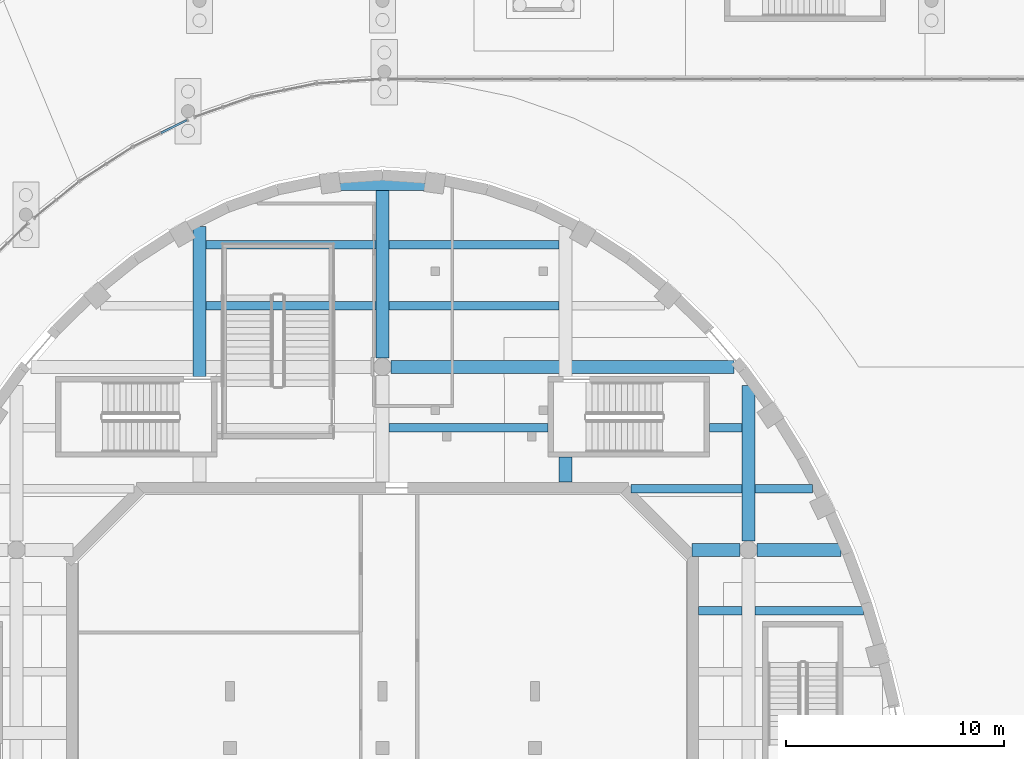
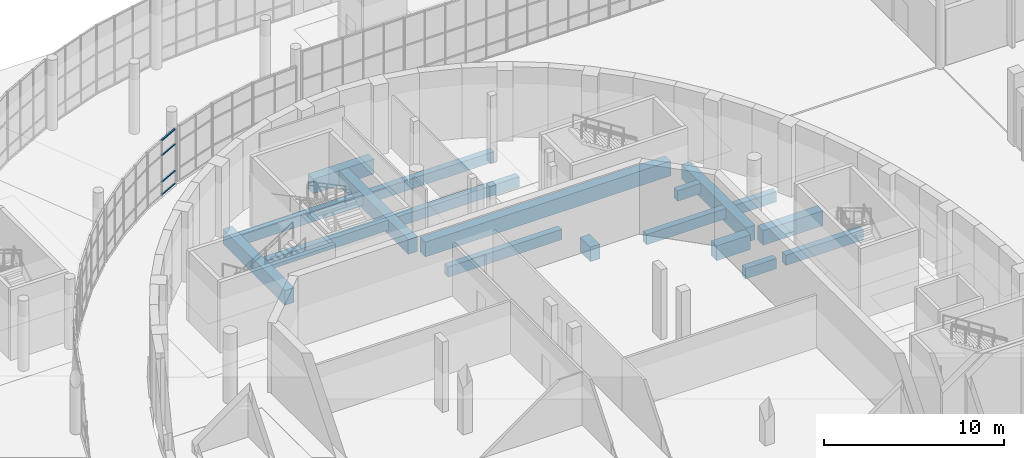
# One storey, part 31 of 110: 18 beams, 4 members, 1 element without a shape of its own.
"""IFC4 building model written with IfcOpenShell, lengths in metres."""

from ifc_helpers import new_model, si_unit, direction, frame, origin, origin_2d, place, context, subcontext, project, spatial, rectangle, extrude, material, layer, layer_set, material_profile, profile_set, type_object, element, aggregate, save


model = new_model("IFC4")

# Units and contexts
model_context = context("Model", 3, precision=1e-05, world=origin(), true_north=direction((0.0, 1.0)))
body_context = subcontext(model_context, "Body", "Model", "MODEL_VIEW")
ifc_project = project(units=[si_unit("LENGTHUNIT", "METRE"), si_unit("AREAUNIT", "SQUARE_METRE"), si_unit("VOLUMEUNIT", "CUBIC_METRE"), si_unit("PLANEANGLEUNIT", "RADIAN"), si_unit("MASSUNIT", "GRAM", prefix="KILO")], contexts=[model_context])

# Site, building, storey
site_placement = place(None, origin())
site = spatial("IfcSite", under=ifc_project, at=site_placement, CompositionType="ELEMENT")
building_placement = place(site_placement, origin())
building = spatial("IfcBuilding", under=site, at=building_placement, Name="Larchfold Concert Hall", CompositionType="ELEMENT")
storey_placement = place(building_placement, origin())
storey = spatial("IfcBuildingStorey", under=building, at=storey_placement, Name="L00", CompositionType="ELEMENT", Elevation=0.0)

# Curtain wall, members
ifc_material_1 = material(Name="Anodised graphite aluminium curtain wall", Category="aluminium")
ifc_layer = layer(ifc_material_1, 0.14990234375)
ifc_layer_set = layer_set([ifc_layer], Name="Anodised graphite aluminium curtain wall")
curtain_wall_type = type_object("IfcCurtainWallType", Name="Curtain wall WG", PredefinedType="NOTDEFINED", material=ifc_layer_set)
curtain_wall_placement = place(storey_placement, origin())
curtain_wall = element("IfcCurtainWall", 1, at=curtain_wall_placement, inside=storey, type_object=curtain_wall_type, Name="Curtain wall CW0086", PredefinedType="NOTDEFINED")
ifc_material_2 = material(Name="Anodised graphite aluminium transom", Category="aluminium")
ifc_material_profile_1 = material_profile(ifc_material_2, rectangle(XDim=0.10009765625, YDim=0.080078125, at=origin_2d()))
ifc_profile_set_1 = profile_set([ifc_material_profile_1], Name="Anodised graphite aluminium transom")
member_type = type_object("IfcMemberType", Name="Aluminium transom 80x100", PredefinedType="USERDEFINED", material=ifc_profile_set_1)
member_1_placement = place(storey_placement, frame((32.43603515625, 120.536376953125, 0.0400390625), z_axis=(0.896919943894, 0.44219296042, 0.0), x_axis=(-0.44219296042, 0.896919943894, 0.0)))
member_1 = element("IfcMember", 2, at=member_1_placement, type_object=member_type, Name="CW0086 transom 2.1", ObjectType="TRANSOM", PredefinedType="USERDEFINED", context=body_context, shape_type="SweptSolid", body=[
    extrude(rectangle(XDim=0.10009765625, YDim=0.080078125, at=origin_2d()), origin(), (0.0, 0.0, 1.0), 1.324462890625),
])
member_2_placement = place(storey_placement, frame((32.43603515625, 120.536376953125, 0.89990234375), z_axis=(0.896919943894, 0.44219296042, 0.0), x_axis=(-0.44219296042, 0.896919943894, 0.0)))
member_2 = element("IfcMember", 3, at=member_2_placement, type_object=member_type, Name="CW0086 transom 2.2", ObjectType="TRANSOM", PredefinedType="USERDEFINED", context=body_context, shape_type="SweptSolid", body=[
    extrude(rectangle(XDim=0.10009765625, YDim=0.080078125, at=origin_2d()), origin(), (0.0, 0.0, 1.0), 1.324462890625),
])
member_3_placement = place(storey_placement, frame((32.43603515625, 120.536376953125, 2.699951171875), z_axis=(0.896919943894, 0.44219296042, 0.0), x_axis=(-0.44219296042, 0.896919943894, 0.0)))
member_3 = element("IfcMember", 4, at=member_3_placement, type_object=member_type, Name="CW0086 transom 2.3", ObjectType="TRANSOM", PredefinedType="USERDEFINED", context=body_context, shape_type="SweptSolid", body=[
    extrude(rectangle(XDim=0.10009765625, YDim=0.080078125, at=origin_2d()), origin(), (0.0, 0.0, 1.0), 1.324462890625),
])
member_4_placement = place(storey_placement, frame((32.43603515625, 120.536376953125, 3.7099609375), z_axis=(0.896919943894, 0.44219296042, 0.0), x_axis=(-0.44219296042, 0.896919943894, 0.0)))
member_4 = element("IfcMember", 5, at=member_4_placement, type_object=member_type, Name="CW0086 transom 2.4", ObjectType="TRANSOM", PredefinedType="USERDEFINED", context=body_context, shape_type="SweptSolid", body=[
    extrude(rectangle(XDim=0.10009765625, YDim=0.080078125, at=origin_2d()), origin(), (0.0, 0.0, 1.0), 1.324462890625),
])
aggregate(curtain_wall, [member_1, member_2, member_3, member_4])

# Beams
ifc_material_3 = material(Name="Concrete C35/45", Category="concrete")
ifc_material_profile_2 = material_profile(ifc_material_3, rectangle(XDim=0.39990234375, YDim=0.699951171875, at=origin_2d()))
ifc_profile_set_2 = profile_set([ifc_material_profile_2], Name="Concrete C35/45")
beam_type_1 = type_object("IfcBeamType", Name="Beam RC 400x700", PredefinedType="BEAM", material=ifc_profile_set_2)
beam_1_placement = place(storey_placement, frame((57.110107421875, 98.60009765625, -0.550048828125), z_axis=(1.0, 0.0, 0.0), x_axis=(0.0, 1.0, 0.0)))
element("IfcBeam", 6, at=beam_1_placement, inside=storey, type_object=beam_type_1, Name="Beam B1167", PredefinedType="BEAM", context=body_context, shape_type="SweptSolid", body=[
    extrude(rectangle(XDim=0.39990234375, YDim=0.699951171875, at=origin_2d()), origin(), (0.0, 0.0, 1.0), 1.989990234375),
])
beam_2_placement = place(storey_placement, frame((59.699951171875, 98.60009765625, -0.550048828125), z_axis=(1.0, 0.0, 0.0), x_axis=(0.0, 1.0, 0.0)))
element("IfcBeam", 7, at=beam_2_placement, inside=storey, type_object=beam_type_1, Name="Beam B1168", PredefinedType="BEAM", context=body_context, shape_type="SweptSolid", body=[
    extrude(rectangle(XDim=0.39990234375, YDim=0.699951171875, at=origin_2d()), origin(), (0.0, 0.0, 1.0), 4.9765625),
])
beam_3_placement = place(storey_placement, frame((54.01416015625, 104.199951171875, -0.550048828125), z_axis=(1.0, 0.0, 0.0), x_axis=(0.0, 1.0, 0.0)))
element("IfcBeam", 8, at=beam_3_placement, inside=storey, type_object=beam_type_1, Name="Beam B1171", PredefinedType="BEAM", context=body_context, shape_type="SweptSolid", body=[
    extrude(rectangle(XDim=0.39990234375, YDim=0.699951171875, at=origin_2d()), origin(), (0.0, 0.0, 1.0), 5.0859375),
])
beam_4_placement = place(storey_placement, frame((59.699951171875, 104.199951171875, -0.550048828125), z_axis=(1.0, 0.0, 0.0), x_axis=(0.0, 1.0, 0.0)))
element("IfcBeam", 9, at=beam_4_placement, inside=storey, type_object=beam_type_1, Name="Beam B1172", PredefinedType="BEAM", context=body_context, shape_type="SweptSolid", body=[
    extrude(rectangle(XDim=0.39990234375, YDim=0.699951171875, at=origin_2d()), origin(), (0.0, 0.0, 1.0), 2.639404296875),
])
beam_5_placement = place(storey_placement, frame((42.89990234375, 107.0, -0.550048828125), z_axis=(1.0, 0.0, 0.0), x_axis=(0.0, 1.0, 0.0)))
element("IfcBeam", 10, at=beam_5_placement, inside=storey, type_object=beam_type_1, Name="Beam B1175", PredefinedType="BEAM", context=body_context, shape_type="SweptSolid", body=[
    extrude(rectangle(XDim=0.39990234375, YDim=0.699951171875, at=origin_2d()), origin(), (0.0, 0.0, 1.0), 7.300048828125),
])
beam_6_placement = place(storey_placement, frame((57.60009765625, 107.0, -0.550048828125), z_axis=(1.0, 0.0, 0.0), x_axis=(0.0, 1.0, 0.0)))
element("IfcBeam", 11, at=beam_6_placement, inside=storey, type_object=beam_type_1, Name="Beam B1176", PredefinedType="BEAM", context=body_context, shape_type="SweptSolid", body=[
    extrude(rectangle(XDim=0.39990234375, YDim=0.699951171875, at=origin_2d()), origin(), (0.0, 0.0, 1.0), 1.5),
])
for number, where, z_axis, x_axis, name in (
    (12, (34.5, 112.60009765625, -0.550048828125), (1.0, 0.0, 0.0), (0.0, 1.0, 0.0), "Beam B1178"),
    (13, (42.89990234375, 112.60009765625, -0.550048828125), (1.0, 0.0, 0.0), (0.0, 1.0, 0.0), "Beam B1179"),
    (14, (34.5, 115.39990234375, -0.550048828125), (1.0, 0.0, 0.0), (0.0, 1.0, 0.0), "Beam B1181"),
    (15, (42.89990234375, 115.39990234375, -0.550048828125), (1.0, 0.0, 0.0), (0.0, 1.0, 0.0), "Beam B1182"),
):
    element("IfcBeam", number, at=place(storey_placement, frame(where, z_axis=z_axis, x_axis=x_axis)), inside=storey, type_object=beam_type_1, Name=name, PredefinedType="BEAM", context=body_context, shape_type="SweptSolid", body=[
        extrude(rectangle(XDim=0.39990234375, YDim=0.699951171875, at=origin_2d()), origin(), (0.0, 0.0, 1.0), 7.800048828125),
    ])
ifc_material_4 = material(Name="Concrete C35/45", Category="concrete")
ifc_material_profile_3 = material_profile(ifc_material_4, rectangle(XDim=0.60009765625, YDim=1.0, at=origin_2d()))
ifc_profile_set_3 = profile_set([ifc_material_profile_3], Name="Concrete C35/45")
beam_type_2 = type_object("IfcBeamType", Name="Beam RC 600x1000", PredefinedType="BEAM", material=ifc_profile_set_3)
beam_7_placement = place(storey_placement, frame((34.199951171875, 109.35009765625, -0.699951171875), z_axis=(0.0, 1.0, 0.0), x_axis=(-1.0, 0.0, 0.0)))
element("IfcBeam", 16, at=beam_7_placement, inside=storey, type_object=beam_type_2, Name="Beam B1111", PredefinedType="BEAM", context=body_context, shape_type="SweptSolid", body=[
    extrude(rectangle(XDim=0.60009765625, YDim=1.0, at=origin_2d()), origin(), (0.0, 0.0, 1.0), 6.893798828125),
])
beam_8_placement = place(storey_placement, frame((42.60009765625, 110.1982421875, -0.699951171875), z_axis=(0.0, 1.0, 0.0), x_axis=(-1.0, 0.0, 0.0)))
element("IfcBeam", 17, at=beam_8_placement, inside=storey, type_object=beam_type_2, Name="Beam B1113", PredefinedType="BEAM", context=body_context, shape_type="SweptSolid", body=[
    extrude(rectangle(XDim=0.60009765625, YDim=1.0, at=origin_2d()), origin(), (0.0, 0.0, 1.0), 8.17138671875),
])
beam_9_placement = place(storey_placement, frame((51.0, 104.510009765625, -0.699951171875), z_axis=(0.0, 1.0, 0.0), x_axis=(-1.0, 0.0, 0.0)))
element("IfcBeam", 18, at=beam_9_placement, inside=storey, type_object=beam_type_2, Name="Beam B1114", PredefinedType="BEAM", context=body_context, shape_type="SweptSolid", body=[
    extrude(rectangle(XDim=0.60009765625, YDim=1.0, at=origin_2d()), origin(), (0.0, 0.0, 1.0), 1.139892578125),
])
beam_10_placement = place(storey_placement, frame((59.39990234375, 101.79833984375, -0.699951171875), z_axis=(0.0, 1.0, 0.0), x_axis=(-1.0, 0.0, 0.0)))
element("IfcBeam", 19, at=beam_10_placement, inside=storey, type_object=beam_type_2, Name="Beam B1119", PredefinedType="BEAM", context=body_context, shape_type="SweptSolid", body=[
    extrude(rectangle(XDim=0.60009765625, YDim=1.0, at=origin_2d()), origin(), (0.0, 0.0, 1.0), 7.134765625),
])
beam_11_placement = place(storey_placement, frame((56.814208984375, 101.39990234375, -0.699951171875), z_axis=(1.0, 0.0, 0.0), x_axis=(0.0, 1.0, 0.0)))
element("IfcBeam", 20, at=beam_11_placement, inside=storey, type_object=beam_type_2, Name="Beam B1130", PredefinedType="BEAM", context=body_context, shape_type="SweptSolid", body=[
    extrude(rectangle(XDim=0.60009765625, YDim=1.0, at=origin_2d()), origin(), (0.0, 0.0, 1.0), 2.1875),
])
beam_12_placement = place(storey_placement, frame((59.79833984375, 101.39990234375, -0.699951171875), z_axis=(1.0, 0.0, 0.0), x_axis=(0.0, 1.0, 0.0)))
element("IfcBeam", 21, at=beam_12_placement, inside=storey, type_object=beam_type_2, Name="Beam B1131", PredefinedType="BEAM", context=body_context, shape_type="SweptSolid", body=[
    extrude(rectangle(XDim=0.60009765625, YDim=1.0, at=origin_2d()), origin(), (0.0, 0.0, 1.0), 3.844970703125),
])
beam_13_placement = place(storey_placement, frame((42.998291015625, 109.800048828125, -0.699951171875), z_axis=(1.0, 0.0, 0.0), x_axis=(0.0, 1.0, 0.0)))
element("IfcBeam", 22, at=beam_13_placement, inside=storey, type_object=beam_type_2, Name="Beam B1133", PredefinedType="BEAM", context=body_context, shape_type="SweptSolid", body=[
    extrude(rectangle(XDim=0.60009765625, YDim=1.0, at=origin_2d()), origin(), (0.0, 0.0, 1.0), 15.73779296875),
])
beam_14_placement = place(storey_placement, frame((40.659912109375, 118.199951171875, -0.699951171875), z_axis=(1.0, 0.0, 0.0), x_axis=(0.0, 1.0, 0.0)))
element("IfcBeam", 23, at=beam_14_placement, inside=storey, type_object=beam_type_2, Name="Beam B1134", PredefinedType="BEAM", context=body_context, shape_type="SweptSolid", body=[
    extrude(rectangle(XDim=0.60009765625, YDim=1.0, at=origin_2d()), origin(), (0.0, 0.0, 1.0), 3.88037109375),
])

save(model, "model.ifc")
